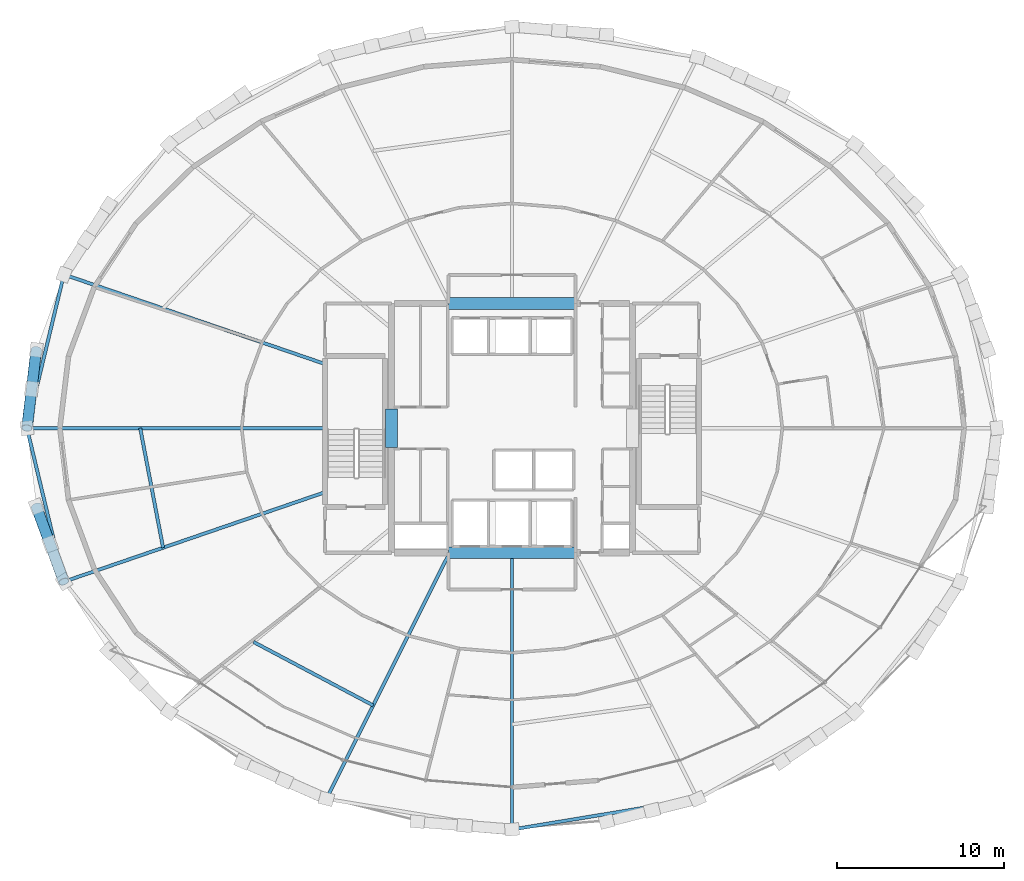
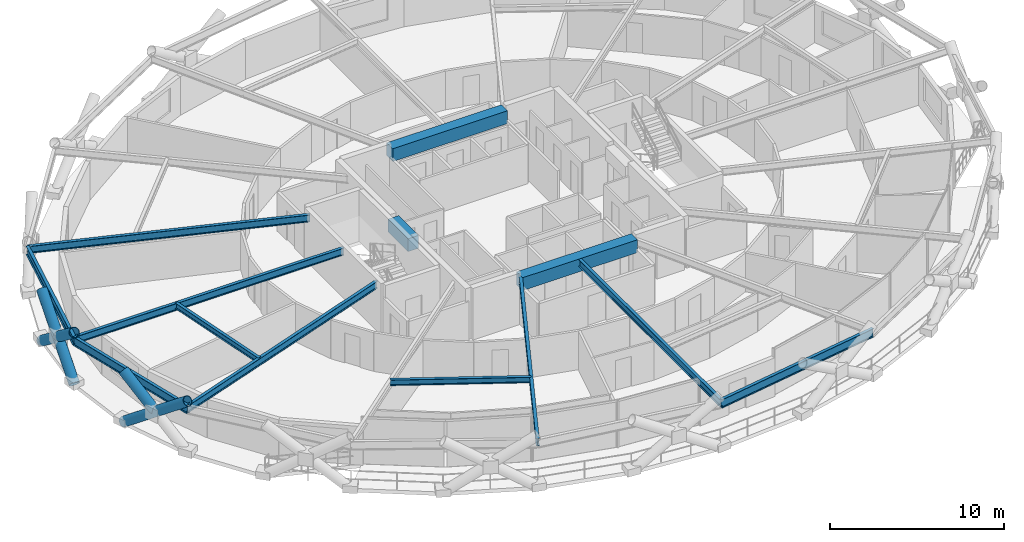
# One storey, part 5 of 19: 13 beams, 5 members.
"""IFC4 building model written with IfcOpenShell, lengths in metres."""

from ifc_helpers import new_model, si_unit, direction, frame, origin, origin_2d, place, context, subcontext, project, spatial, rectangle, hollow_circle, i_section, extrude, material, material_profile, profile_set, type_object, element, save


model = new_model("IFC4")

# Units and contexts
model_context = context("Model", 3, precision=1e-05, world=origin(), true_north=direction((0.0, 1.0)))
body_context = subcontext(model_context, "Body", "Model", "MODEL_VIEW")
ifc_project = project(units=[si_unit("LENGTHUNIT", "METRE"), si_unit("AREAUNIT", "SQUARE_METRE"), si_unit("VOLUMEUNIT", "CUBIC_METRE"), si_unit("PLANEANGLEUNIT", "RADIAN"), si_unit("MASSUNIT", "GRAM", prefix="KILO")], contexts=[model_context])

# Site, building, storey
site_placement = place(None, origin())
site = spatial("IfcSite", under=ifc_project, at=site_placement, CompositionType="ELEMENT")
building_placement = place(site_placement, origin())
building = spatial("IfcBuilding", under=site, at=building_placement, Name="Veldorina Hangang Commons", CompositionType="ELEMENT")
storey_placement = place(building_placement, frame((0.0, 0.0, 77.199951171875)))
storey = spatial("IfcBuildingStorey", under=building, at=storey_placement, Name="L19", CompositionType="ELEMENT", Elevation=77.199951171875)

# Beams
ifc_material_1 = material(Name="Concrete C70/85", Category="concrete")
ifc_material_profile_1 = material_profile(ifc_material_1, rectangle(XDim=0.699951171875, YDim=0.89990234375, at=origin_2d()), Name="RC-CB-700x900")
ifc_profile_set_1 = profile_set([ifc_material_profile_1], Name="Concrete C70/85")
beam_type_1 = type_object("IfcBeamType", Name="BM-CB900", PredefinedType="LINTEL", material=ifc_profile_set_1)
beam_1_placement = place(storey_placement, frame((24.800048828125, 22.85009765625, 2.89013671875), z_axis=(0.0, 1.0, 0.0), x_axis=(-1.0, 0.0, 0.0)))
element("IfcBeam", 1, at=beam_1_placement, inside=storey, type_object=beam_type_1, Name="L19 W core coupling lintel beam", PredefinedType="LINTEL", context=body_context, shape_type="SweptSolid", body=[
    extrude(rectangle(XDim=0.699951171875, YDim=0.89990234375, at=origin_2d()), origin(), (0.0, 0.0, 1.0), 2.2998046875),
])
for number, where, z_axis, x_axis, name in (
    (2, (28.199951171875, 16.550048828125, 2.89013671875), (1.0, 0.0, 0.0), (0.0, 1.0, 0.0), "L19 south core coupling beam"),
    (3, (28.199951171875, 31.449951171875, 2.89013671875), (1.0, 0.0, 0.0), (0.0, 1.0, 0.0), "L19 north core coupling beam"),
):
    element("IfcBeam", number, at=place(storey_placement, frame(where, z_axis=z_axis, x_axis=x_axis)), inside=storey, type_object=beam_type_1, Name=name, PredefinedType="LINTEL", context=body_context, shape_type="SweptSolid", body=[
        extrude(rectangle(XDim=0.699951171875, YDim=0.89990234375, at=origin_2d()), origin(), (0.0, 0.0, 1.0), 7.60009765625),
    ])
ifc_material_2 = material(Name="Steel SM420-TMC", Category="steel")
ifc_material_profile_2 = material_profile(ifc_material_2, i_section(OverallWidth=0.199951171875, OverallDepth=0.5, WebThickness=0.010009765625, FlangeThickness=0.01611328125, FilletRadius=0.01611328125, at=origin_2d()), Name="H-500x200x10x16")
ifc_profile_set_2 = profile_set([ifc_material_profile_2], Name="Steel SM420-TMC")
beam_type_2 = type_object("IfcBeamType", Name="BM-FG500", PredefinedType="BEAM", material=ifc_profile_set_2)
beam_2_placement = place(storey_placement, frame((20.820068359375, 27.83251953125, 3.090087890625), z_axis=(-0.94596552532, 0.324267212197, 0.0), x_axis=(-0.324267212197, -0.94596552532, 0.0)))
element("IfcBeam", 4, at=beam_2_placement, inside=storey, type_object=beam_type_2, Name="L19 radial floor girder 08", PredefinedType="BEAM", context=body_context, shape_type="SweptSolid", body=[
    extrude(i_section(OverallWidth=0.199951171875, OverallDepth=0.5, WebThickness=0.010009765625, FlangeThickness=0.01611328125, FilletRadius=0.01611328125, at=origin_2d()), origin(), (0.0, 0.0, 1.0), 16.502685546875),
])
beam_3_placement = place(storey_placement, frame((20.820068359375, 24.0, 3.090087890625), z_axis=(-1.0, 0.0, 0.0), x_axis=(0.0, -1.0, 0.0)))
element("IfcBeam", 5, at=beam_3_placement, inside=storey, type_object=beam_type_2, Name="L19 radial floor girder 09", PredefinedType="BEAM", context=body_context, shape_type="SweptSolid", body=[
    extrude(i_section(OverallWidth=0.199951171875, OverallDepth=0.5, WebThickness=0.010009765625, FlangeThickness=0.01611328125, FilletRadius=0.01611328125, at=origin_2d()), origin(), (0.0, 0.0, 1.0), 17.818603515625),
])
beam_4_placement = place(storey_placement, frame((20.820068359375, 20.16748046875, 3.090087890625), z_axis=(-0.94596552532, -0.324267212197, 0.0), x_axis=(0.324267212197, -0.94596552532, 0.0)))
element("IfcBeam", 6, at=beam_4_placement, inside=storey, type_object=beam_type_2, Name="L19 radial floor girder 10", PredefinedType="BEAM", context=body_context, shape_type="SweptSolid", body=[
    extrude(i_section(OverallWidth=0.199951171875, OverallDepth=0.5, WebThickness=0.010009765625, FlangeThickness=0.01611328125, FilletRadius=0.01611328125, at=origin_2d()), origin(), (0.0, 0.0, 1.0), 16.502685546875),
])
beam_5_placement = place(storey_placement, frame((28.271240234375, 16.550048828125, 3.090087890625), z_axis=(-0.447581339317, -0.894243224573, 0.0), x_axis=(0.894243224573, -0.447581339317, 0.0)))
element("IfcBeam", 7, at=beam_5_placement, inside=storey, type_object=beam_type_2, Name="L19 radial floor girder 12", PredefinedType="BEAM", context=body_context, shape_type="SweptSolid", body=[
    extrude(i_section(OverallWidth=0.199951171875, OverallDepth=0.5, WebThickness=0.010009765625, FlangeThickness=0.01611328125, FilletRadius=0.01611328125, at=origin_2d()), origin(), (0.0, 0.0, 1.0), 16.462646484375),
])
beam_6_placement = place(storey_placement, frame((32.0, 16.550048828125, 3.090087890625), z_axis=(0.0, -1.0, 0.0), x_axis=(1.0, 0.0, 0.0)))
element("IfcBeam", 8, at=beam_6_placement, inside=storey, type_object=beam_type_2, Name="L19 radial floor girder 13", PredefinedType="BEAM", context=body_context, shape_type="SweptSolid", body=[
    extrude(i_section(OverallWidth=0.199951171875, OverallDepth=0.5, WebThickness=0.010009765625, FlangeThickness=0.01611328125, FilletRadius=0.01611328125, at=origin_2d()), origin(), (0.0, 0.0, 1.0), 16.548583984375),
])
ifc_material_3 = material(Name="Steel SM355-TMC", Category="steel")
ifc_material_profile_3 = material_profile(ifc_material_3, i_section(OverallWidth=0.199951171875, OverallDepth=0.39990234375, WebThickness=0.008056640625, FlangeThickness=0.012939453125, FilletRadius=0.012939453125, at=origin_2d()), Name="H-400x200x8x13")
ifc_profile_set_3 = profile_set([ifc_material_profile_3], Name="Steel SM355-TMC")
beam_type_3 = type_object("IfcBeamType", Name="BM-JST400", PredefinedType="JOIST", material=ifc_profile_set_3)
beam_7_placement = place(storey_placement, frame((9.7724609375, 24.0, 3.14013671875), z_axis=(0.187996560469, -0.982169686588, 0.0), x_axis=(0.982169686588, 0.187996560469, 0.0)))
element("IfcBeam", 9, at=beam_7_placement, inside=storey, type_object=beam_type_3, Name="L19 secondary floor joist 09", PredefinedType="JOIST", context=body_context, shape_type="SweptSolid", body=[
    extrude(i_section(OverallWidth=0.199951171875, OverallDepth=0.39990234375, WebThickness=0.008056640625, FlangeThickness=0.012939453125, FilletRadius=0.012939453125, at=origin_2d()), origin(), (0.0, 0.0, 1.0), 7.2802734375),
])
beam_8_placement = place(storey_placement, frame((16.55078125, 11.214599609375, 3.14013671875), z_axis=(0.883502384403, -0.468426661019, 0.0), x_axis=(0.468426661019, 0.883502384403, 0.0)))
element("IfcBeam", 10, at=beam_8_placement, inside=storey, type_object=beam_type_3, Name="L19 secondary floor joist 11", PredefinedType="JOIST", context=body_context, shape_type="SweptSolid", body=[
    extrude(i_section(OverallWidth=0.199951171875, OverallDepth=0.39990234375, WebThickness=0.008056640625, FlangeThickness=0.012939453125, FilletRadius=0.012939453125, at=origin_2d()), origin(), (0.0, 0.0, 1.0), 8.09521484375),
])
ifc_material_profile_4 = material_profile(ifc_material_2, i_section(OverallWidth=0.199951171875, OverallDepth=0.60009765625, WebThickness=0.010986328125, FlangeThickness=0.01708984375, FilletRadius=0.01806640625, at=origin_2d()), Name="H-600x200x11x17")
ifc_profile_set_4 = profile_set([ifc_material_profile_4], Name="Steel SM420-TMC")
beam_type_4 = type_object("IfcBeamType", Name="BM-RB600", PredefinedType="BEAM", material=ifc_profile_set_4)
for number, where, z_axis, x_axis, name in (
    (11, (5.208984375, 33.183837890625, 3.0400390625), (-0.233713139846, -0.972305594072, 0.0), (0.972305594072, -0.233713139846, 0.0), "L19 perimeter hoop ring beam 14"),
    (12, (3.00146484375, 24.0, 3.0400390625), (0.233713139846, -0.972305594072, 0.0), (0.972305594072, 0.233713139846, 0.0), "L19 perimeter hoop ring beam 16"),
):
    element("IfcBeam", number, at=place(storey_placement, frame(where, z_axis=z_axis, x_axis=x_axis)), inside=storey, type_object=beam_type_4, Name=name, PredefinedType="BEAM", context=body_context, shape_type="SweptSolid", body=[
        extrude(i_section(OverallWidth=0.199951171875, OverallDepth=0.60009765625, WebThickness=0.010986328125, FlangeThickness=0.01708984375, FilletRadius=0.01806640625, at=origin_2d()), origin(), (0.0, 0.0, 1.0), 9.4453125),
    ])
beam_9_placement = place(storey_placement, frame((32.0, 0.00146484375, 3.0400390625), z_axis=(0.986718189619, 0.162441417981, 0.0), x_axis=(-0.162441417981, 0.986718189619, 0.0)))
element("IfcBeam", 13, at=beam_9_placement, inside=storey, type_object=beam_type_4, Name="L19 perimeter hoop ring beam 24", PredefinedType="BEAM", context=body_context, shape_type="SweptSolid", body=[
    extrude(i_section(OverallWidth=0.199951171875, OverallDepth=0.60009765625, WebThickness=0.010986328125, FlangeThickness=0.01708984375, FilletRadius=0.01806640625, at=origin_2d()), origin(), (0.0, 0.0, 1.0), 11.24658203125),
])

# Members
ifc_material_4 = material(Name="Steel SM460-TMC", Category="steel")
ifc_material_profile_5 = material_profile(ifc_material_4, hollow_circle(Radius=0.324951171875, WallThickness=0.031982421875, at=origin_2d()), Name="CHS-650x32")
ifc_profile_set_5 = profile_set([ifc_material_profile_5], Name="Steel SM460-TMC")
member_type = type_object("IfcMemberType", Name="DG-CHS650", PredefinedType="BRACE", material=ifc_profile_set_5)
member_1_placement = place(storey_placement, frame((3.56640625, 28.680419921875, 0.0), z_axis=(-0.095484234797, -0.789020804009, 0.606901088932), x_axis=(0.992757007872, -0.120139599304, 0.0)))
element("IfcMember", 14, at=member_1_placement, inside=storey, type_object=member_type, Name="L19 continuous perimeter diagrid brace 15", PredefinedType="BRACE", context=body_context, shape_type="SweptSolid", body=[
    extrude(hollow_circle(Radius=0.324951171875, WallThickness=0.031982421875, at=origin_2d()), origin(), (0.0, 0.0, 1.0), 5.931884765625),
])
member_2_placement = place(storey_placement, frame((3.009521484375, 24.0, 0.0), z_axis=(0.092302038801, 0.789384162339, 0.606920899197), x_axis=(-0.993233095531, 0.116137926368, 0.0)))
element("IfcMember", 15, at=member_2_placement, inside=storey, type_object=member_type, Name="L19 split perimeter diagrid lower brace 16", PredefinedType="BRACE", context=body_context, shape_type="SweptSolid", body=[
    extrude(hollow_circle(Radius=0.324951171875, WallThickness=0.031982421875, at=origin_2d()), origin(), (0.0, 0.0, 1.0), 2.965087890625),
])
member_3_placement = place(storey_placement, frame((3.283203125, 26.340576171875, 1.799560546875), z_axis=(0.092341209762, 0.78934451232, 0.606966508014), x_axis=(-0.993226735573, 0.116192305006, 0.0)))
element("IfcMember", 16, at=member_3_placement, inside=storey, type_object=member_type, Name="L19 split perimeter diagrid upper brace 16", PredefinedType="BRACE", context=body_context, shape_type="SweptSolid", body=[
    extrude(hollow_circle(Radius=0.324951171875, WallThickness=0.031982421875, at=origin_2d()), origin(), (0.0, 0.0, 1.0), 2.966552734375),
])
member_4_placement = place(storey_placement, frame((3.56640625, 19.319580078125, 0.0), z_axis=(0.27375042101, -0.751286487175, 0.600524205328), x_axis=(0.939570169, 0.342356389637, 0.0)))
element("IfcMember", 17, at=member_4_placement, inside=storey, type_object=member_type, Name="L19 continuous perimeter diagrid brace 17", PredefinedType="BRACE", context=body_context, shape_type="SweptSolid", body=[
    extrude(hollow_circle(Radius=0.324951171875, WallThickness=0.031982421875, at=origin_2d()), origin(), (0.0, 0.0, 1.0), 5.994873046875),
])
member_5_placement = place(storey_placement, frame((4.38671875, 17.068115234375, 1.7998046875), z_axis=(-0.276673309381, 0.750307400218, 0.600408764971), x_axis=(-0.938243992915, -0.345974290605, 0.0)))
element("IfcMember", 18, at=member_5_placement, inside=storey, type_object=member_type, Name="L19 split perimeter diagrid upper brace 18", PredefinedType="BRACE", context=body_context, shape_type="SweptSolid", body=[
    extrude(hollow_circle(Radius=0.324951171875, WallThickness=0.031982421875, at=origin_2d()), origin(), (0.0, 0.0, 1.0), 2.99853515625),
])

save(model, "model.ifc")
